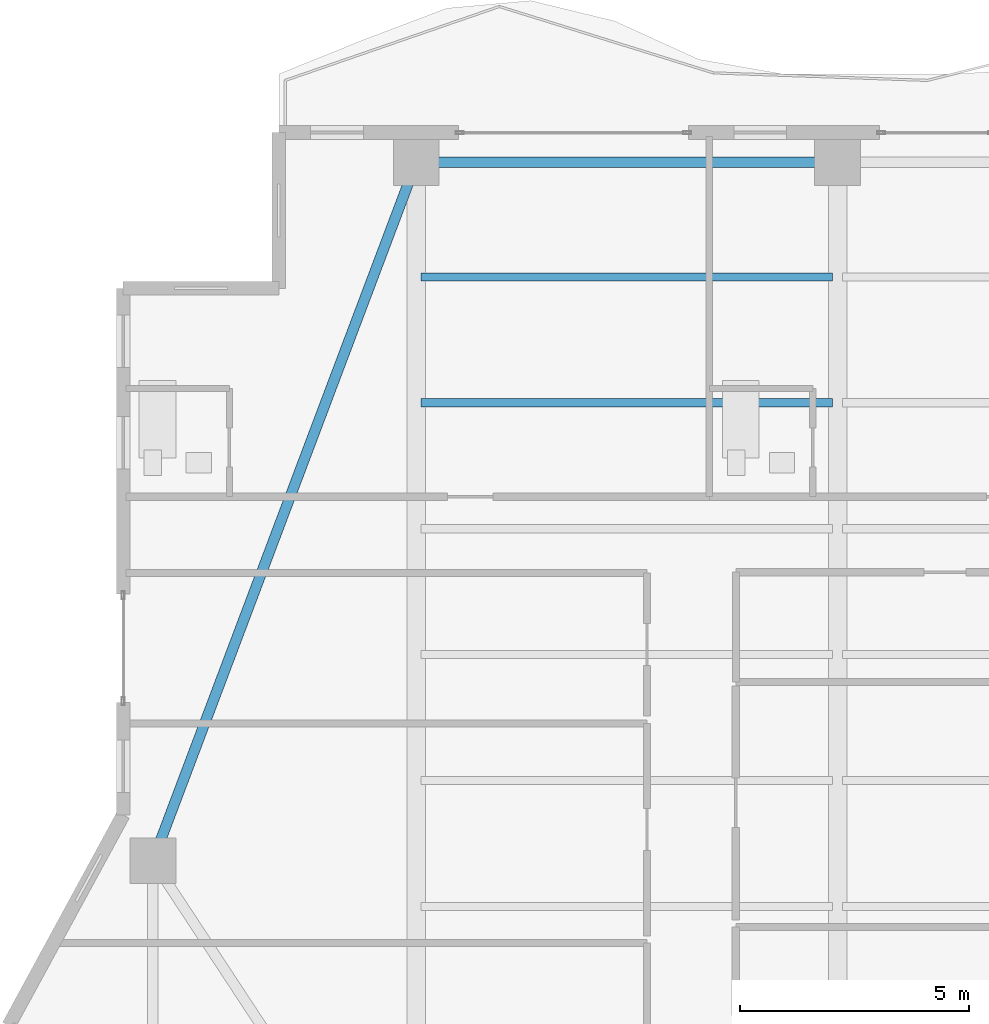
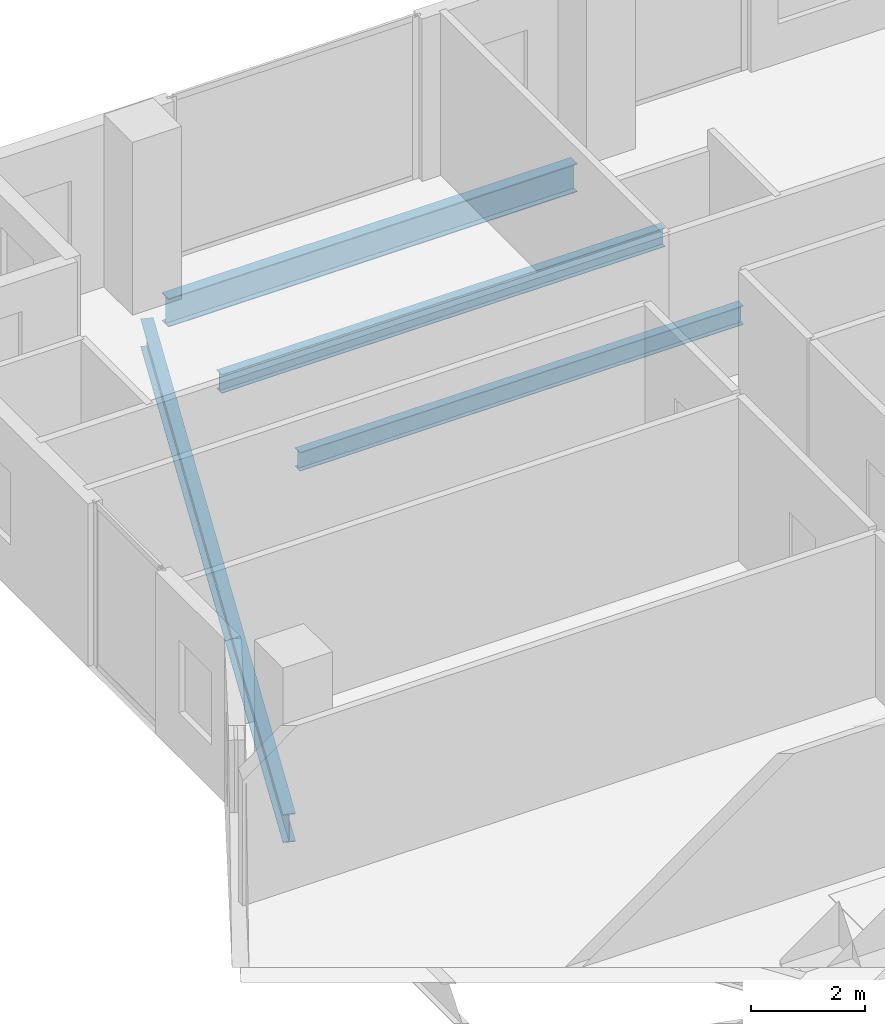
# One storey, part 11 of 24: 4 beams.
"""IFC4 building model written with IfcOpenShell, lengths in metres."""

from ifc_helpers import new_model, si_unit, direction, frame, origin, origin_2d, place, context, subcontext, project, spatial, i_section, extrude, material, material_profile, profile_set, type_object, element, save


model = new_model("IFC4")

# Units and contexts
model_context = context("Model", 3, precision=1e-05, world=origin(), true_north=direction((0.0, 1.0)))
body_context = subcontext(model_context, "Body", "Model", "MODEL_VIEW")
ifc_project = project(units=[si_unit("LENGTHUNIT", "METRE"), si_unit("AREAUNIT", "SQUARE_METRE"), si_unit("VOLUMEUNIT", "CUBIC_METRE"), si_unit("PLANEANGLEUNIT", "RADIAN"), si_unit("MASSUNIT", "GRAM", prefix="KILO")], contexts=[model_context])

# Site, building, storey
site_placement = place(None, origin())
site = spatial("IfcSite", under=ifc_project, at=site_placement, CompositionType="ELEMENT")
building_placement = place(site_placement, origin())
building = spatial("IfcBuilding", under=site, at=building_placement, Name="Zuhayl Quay Hotel", CompositionType="ELEMENT")
storey_placement = place(building_placement, frame((0.0, 0.0, 269.25)))
storey = spatial("IfcBuildingStorey", under=building, at=storey_placement, Name="L68", CompositionType="ELEMENT", Elevation=269.25)

# Beams
ifc_material = material(Name="Steel ASTM A992 Grade 50", Category="steel")
ifc_material_profile_1 = material_profile(ifc_material, i_section(OverallWidth=0.22802734375, OverallDepth=0.60693359375, WebThickness=0.01123046875, FlangeThickness=0.017333984375, at=origin_2d()), Name="W24X76")
ifc_profile_set_1 = profile_set([ifc_material_profile_1], Name="Steel ASTM A992 Grade 50")
beam_type_1 = type_object("IfcBeamType", Name="BM_B3_W24X76", PredefinedType="BEAM", material=ifc_profile_set_1)
beam_1_placement = place(storey_placement, frame((-5.06005859375, 38.35009765625, -0.5234375), z_axis=(-1.0, 0.0, 0.0), x_axis=(0.0, -1.0, 0.0)))
element("IfcBeam", 1, at=beam_1_placement, inside=storey, type_object=beam_type_1, Name="L68 Floor Beam RG_L68_09", PredefinedType="BEAM", context=body_context, shape_type="SweptSolid", body=[
    extrude(i_section(OverallWidth=0.22802734375, OverallDepth=0.60693359375, WebThickness=0.01123046875, FlangeThickness=0.017333984375, at=origin_2d()), origin(), (0.0, 0.0, 1.0), 8.280029296875),
])
beam_2_placement = place(storey_placement, frame((-13.96240234375, 37.919677734375, -0.5234375), z_axis=(-0.352796603103, -0.935700035716, 0.0), x_axis=(0.935700035716, -0.352796603103, 0.0)))
element("IfcBeam", 2, at=beam_2_placement, inside=storey, type_object=beam_type_1, Name="L68 Floor Beam RG_L68_10", PredefinedType="BEAM", context=body_context, shape_type="SweptSolid", body=[
    extrude(i_section(OverallWidth=0.22802734375, OverallDepth=0.60693359375, WebThickness=0.01123046875, FlangeThickness=0.017333984375, at=origin_2d()), origin(), (0.0, 0.0, 1.0), 15.3779296875),
])
ifc_material_profile_2 = material_profile(ifc_material, i_section(OverallWidth=0.177978515625, OverallDepth=0.404052734375, WebThickness=0.007568359375, FlangeThickness=0.010986328125, at=origin_2d()), Name="W16X36")
ifc_profile_set_2 = profile_set([ifc_material_profile_2], Name="Steel ASTM A992 Grade 50")
beam_type_2 = type_object("IfcBeamType", Name="BM_J3_W16X36", PredefinedType="JOIST", material=ifc_profile_set_2)
for number, where, z_axis, x_axis, name in (
    (3, (-13.694091796875, 33.10009765625, -0.422119140625), (1.0, 0.0, 0.0), (0.0, 1.0, 0.0), "L68 Floor Beam FJ_L68_7_1"),
    (4, (-13.694091796875, 35.85009765625, -0.422119140625), (1.0, 0.0, 0.0), (0.0, 1.0, 0.0), "L68 Floor Beam FJ_L68_8_1"),
):
    element("IfcBeam", number, at=place(storey_placement, frame(where, z_axis=z_axis, x_axis=x_axis)), inside=storey, type_object=beam_type_2, Name=name, PredefinedType="JOIST", context=body_context, shape_type="SweptSolid", body=[
        extrude(i_section(OverallWidth=0.177978515625, OverallDepth=0.404052734375, WebThickness=0.007568359375, FlangeThickness=0.010986328125, at=origin_2d()), origin(), (0.0, 0.0, 1.0), 8.988037109375),
    ])

save(model, "model.ifc")
